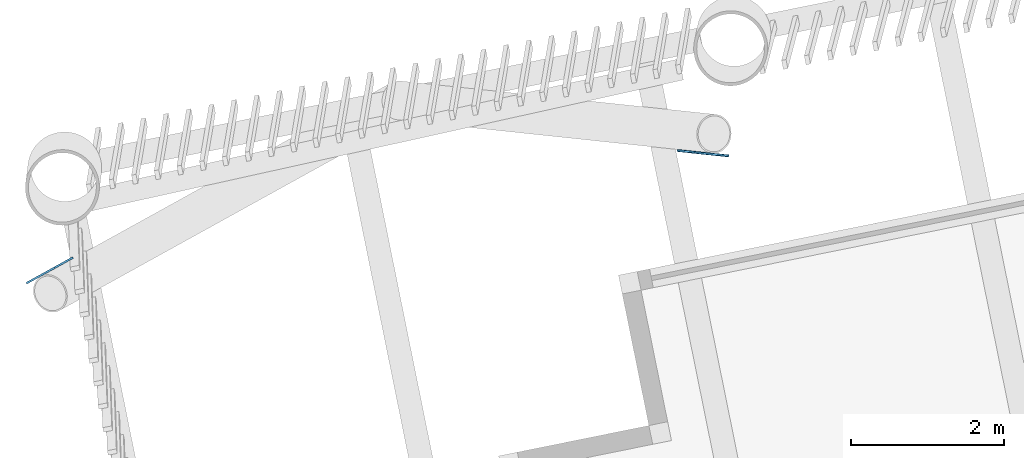
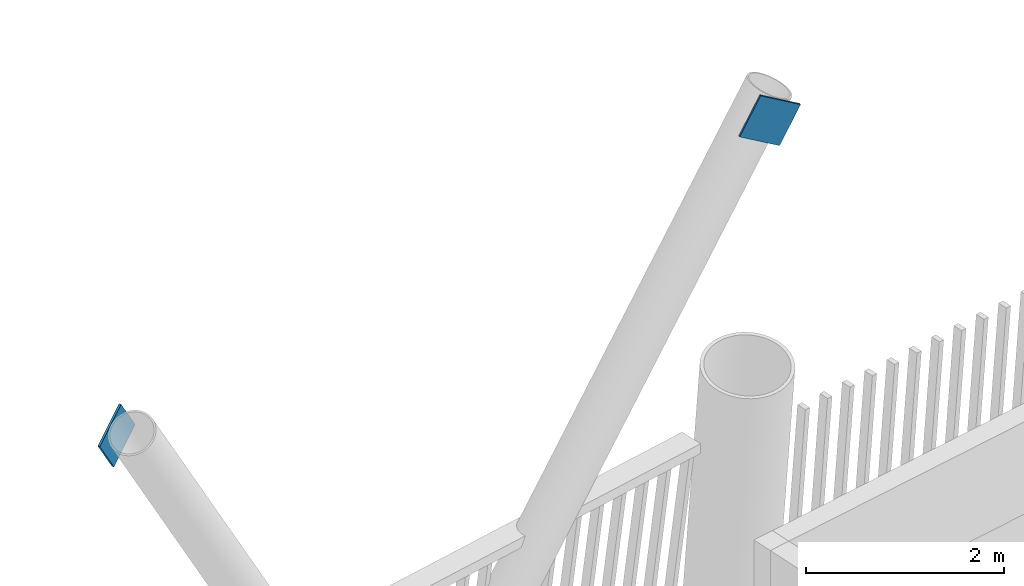
# One storey, part 11 of 21: 2 discrete accessories.
"""IFC4 building model written with IfcOpenShell, lengths in metres."""

from ifc_helpers import new_model, si_unit, direction, frame, origin, origin_2d, place, context, subcontext, project, spatial, rectangle, extrude, material, material_profile, profile_set, type_object, element, save


model = new_model("IFC4")

# Units and contexts
model_context = context("Model", 3, precision=1e-05, world=origin(), true_north=direction((0.0, 1.0)))
body_context = subcontext(model_context, "Body", "Model", "MODEL_VIEW")
ifc_project = project(units=[si_unit("LENGTHUNIT", "METRE"), si_unit("AREAUNIT", "SQUARE_METRE"), si_unit("VOLUMEUNIT", "CUBIC_METRE"), si_unit("PLANEANGLEUNIT", "RADIAN"), si_unit("MASSUNIT", "GRAM", prefix="KILO")], contexts=[model_context])

# Site, building, storey
site_placement = place(None, origin())
site = spatial("IfcSite", under=ifc_project, at=site_placement, CompositionType="ELEMENT")
building_placement = place(site_placement, origin())
building = spatial("IfcBuilding", under=site, at=building_placement, Name="Tarsis Ring Headquarters", CompositionType="ELEMENT")
storey_placement = place(building_placement, frame((0.0, 0.0, 331.39990234375)))
storey = spatial("IfcBuildingStorey", under=building, at=storey_placement, Name="L78", CompositionType="ELEMENT", Elevation=331.39990234375)

# Discrete accessories
ifc_material = material(Name="Structural steel S355", Category="steel")
ifc_material_profile = material_profile(ifc_material, rectangle(XDim=0.02490234375, YDim=0.5, at=origin_2d()), Name="PL 25x500")
ifc_profile_set = profile_set([ifc_material_profile], Name="Structural steel S355")
discrete_accessory_type = type_object("IfcDiscreteAccessoryType", Name="Gusset plate Exo brace 25", PredefinedType="BRACKET", material=ifc_profile_set)
for number, where, z_axis, x_axis, name in (
    (1, (-45.202880859375, 4.6171875, 7.800048828125), (0.485423959572, 0.268106392158, -0.832155359267), (-0.483473061154, 0.875359240049, 0.0), "Gusset plate GP5"),
    (2, (-36.446533203125, 6.199951171875, 7.800048828125), (-0.464937926477, 0.049326397662, -0.883968116516), (-0.105500363133, -0.994419264384, 0.0), "Gusset plate GP5"),
):
    element("IfcDiscreteAccessory", number, at=place(storey_placement, frame(where, z_axis=z_axis, x_axis=x_axis)), inside=storey, type_object=discrete_accessory_type, Name=name, PredefinedType="BRACKET", context=body_context, shape_type="SweptSolid", body=[
        extrude(rectangle(XDim=0.02490234375, YDim=0.5, at=origin_2d()), origin(), (0.0, 0.0, 1.0), 0.5),
    ])

save(model, "model.ifc")
